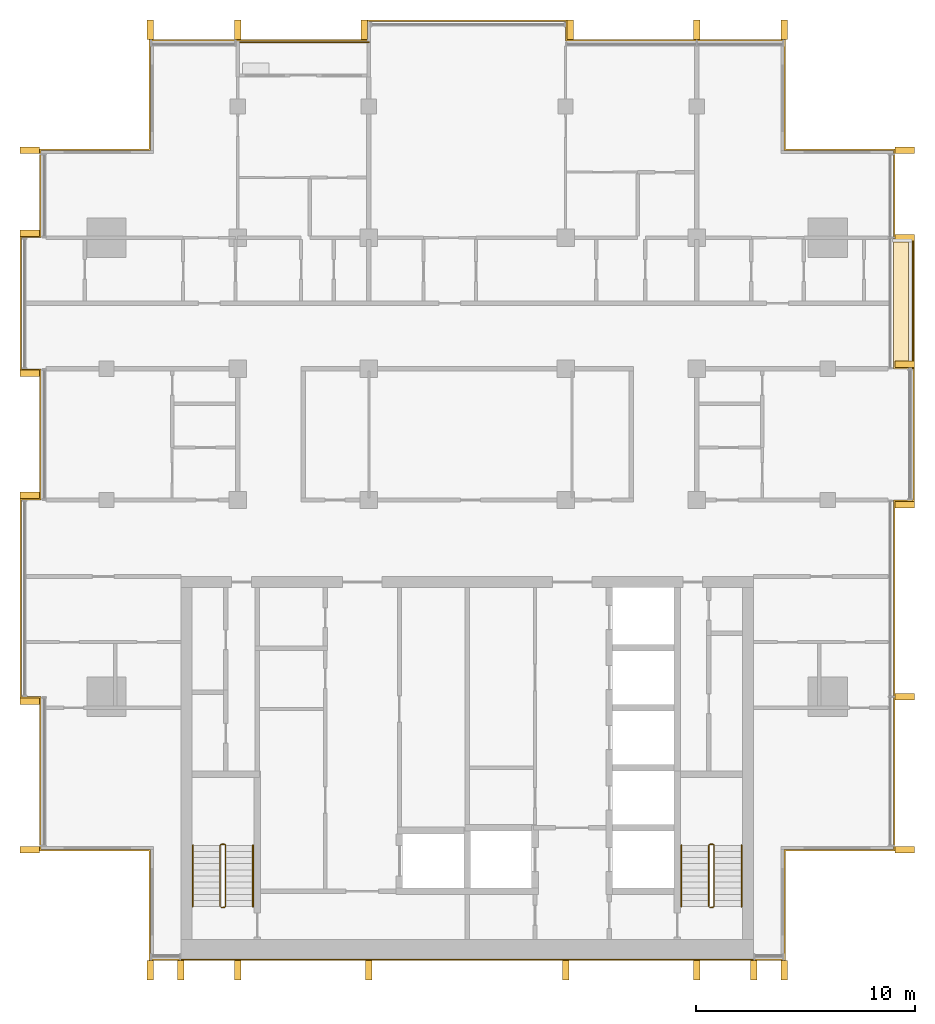
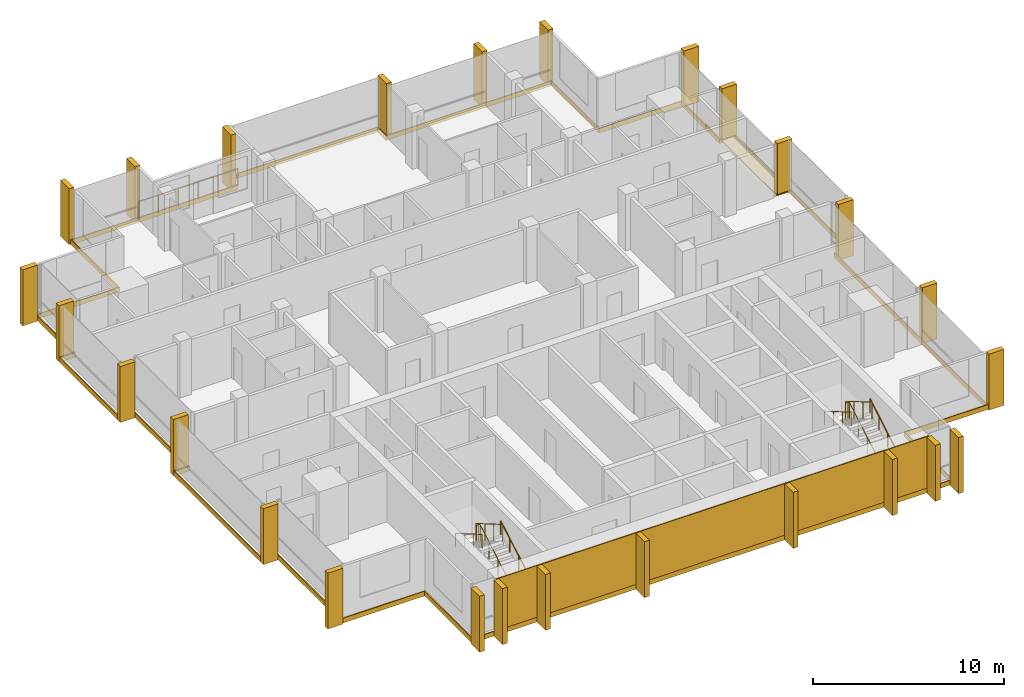
# One storey, part 16 of 16: 26 shading devices, 8 coverings, 7 railings.
"""IFC4 building model written with IfcOpenShell, lengths in metres."""

from ifc_helpers import new_model, si_unit, direction, frame, origin, origin_2d, place, context, subcontext, project, spatial, polyline, rectangle, circle, outline, extrude, material, layer, layer_set, type_object, element, save


model = new_model("IFC4")

# Units and contexts
model_context = context("Model", 3, precision=1e-05, world=origin(), true_north=direction((0.0, 1.0)))
body_context = subcontext(model_context, "Body", "Model", "MODEL_VIEW")
ifc_project = project(units=[si_unit("LENGTHUNIT", "METRE"), si_unit("AREAUNIT", "SQUARE_METRE"), si_unit("VOLUMEUNIT", "CUBIC_METRE"), si_unit("PLANEANGLEUNIT", "RADIAN"), si_unit("MASSUNIT", "GRAM", prefix="KILO")], contexts=[model_context])

# Site, building, storey
site_placement = place(None, origin())
site = spatial("IfcSite", under=ifc_project, at=site_placement, CompositionType="ELEMENT")
building_placement = place(site_placement, origin())
building = spatial("IfcBuilding", under=site, at=building_placement, Name="Finial Court Residences", CompositionType="ELEMENT")
storey_placement = place(building_placement, frame((0.0, 0.0, 291.5)))
storey = spatial("IfcBuildingStorey", under=building, at=storey_placement, Name="L74", CompositionType="ELEMENT", Elevation=291.5)

# Railing
ifc_material_1 = material(Name="Bronze anodised aluminium", Category="aluminium")
railing_type_1 = type_object("IfcRailingType", Name="Balcony guard 1100", PredefinedType="GUARDRAIL", material=ifc_material_1)
railing_1_placement = place(storey_placement, frame((-10.5, 16.449951171875, 0.0)))
element("IfcRailing", 1, at=railing_1_placement, inside=storey, type_object=railing_type_1, Name="E-L74-BALN2-R", PredefinedType="GUARDRAIL", context=body_context, shape_type="SweptSolid", body=[
    extrude(circle(Radius=0.02392578125, at=origin_2d()), frame((0.0, 0.0, 1.076171875), z_axis=(1.0, 0.0, 0.0), x_axis=(0.0, 1.0, 0.0)), (0.0, 0.0, 1.0), 6.0),
    extrude(circle(Radius=0.02099609375, at=origin_2d()), origin(), (0.0, 0.0, 1.0), 1.052001953125),
    extrude(circle(Radius=0.02099609375, at=origin_2d()), frame((1.199951171875, 0.0, 0.0)), (0.0, 0.0, 1.0), 1.052001953125),
    extrude(circle(Radius=0.02099609375, at=origin_2d()), frame((2.39990234375, 0.0, 0.0)), (0.0, 0.0, 1.0), 1.052001953125),
    extrude(circle(Radius=0.02099609375, at=origin_2d()), frame((3.60009765625, 0.0, 0.0)), (0.0, 0.0, 1.0), 1.052001953125),
    extrude(circle(Radius=0.02099609375, at=origin_2d()), frame((4.800048828125, 0.0, 0.0)), (0.0, 0.0, 1.0), 1.052001953125),
    extrude(circle(Radius=0.02099609375, at=origin_2d()), frame((6.0, 0.0, 0.0)), (0.0, 0.0, 1.0), 1.052001953125),
])

# Coverings
ifc_material_2 = material(Name="Natural limestone", Category="masonry")
ifc_layer_1 = layer(ifc_material_2, 0.06005859375)
ifc_layer_set_1 = layer_set([ifc_layer_1], Name="Limestone cladding to the blind core face 60")
covering_type_1 = type_object("IfcCoveringType", Name="Limestone cladding to the blind core face 60", PredefinedType="CLADDING", material=ifc_layer_set_1)
covering_1_placement = place(storey_placement, origin())
element("IfcCovering", 2, at=covering_1_placement, inside=storey, type_object=covering_type_1, Name="E-L74-CLAD1", PredefinedType="CLADDING", context=body_context, shape_type="SweptSolid", body=[
    extrude(outline(polyline([(-10.5, -25.56005859375), (-10.5, -25.5), (-13.10009765625, -25.5), (-13.10009765625, -25.56005859375), (-10.5, -25.56005859375)])), origin(), (0.0, 0.0, 1.0), 3.300048828125),
])
covering_2_placement = place(storey_placement, origin())
element("IfcCovering", 3, at=covering_2_placement, inside=storey, type_object=covering_type_1, Name="E-L74-CLAD2", PredefinedType="CLADDING", context=body_context, shape_type="SweptSolid", body=[
    extrude(outline(polyline([(-4.5, -25.56005859375), (-4.5, -25.5), (-10.5, -25.5), (-10.5, -25.56005859375), (-4.5, -25.56005859375)])), origin(), (0.0, 0.0, 1.0), 3.300048828125),
])
covering_3_placement = place(storey_placement, origin())
element("IfcCovering", 4, at=covering_3_placement, inside=storey, type_object=covering_type_1, Name="E-L74-CLAD3", PredefinedType="CLADDING", context=body_context, shape_type="SweptSolid", body=[
    extrude(outline(polyline([(4.5, -25.56005859375), (4.5, -25.5), (-4.5, -25.5), (-4.5, -25.56005859375), (4.5, -25.56005859375)])), origin(), (0.0, 0.0, 1.0), 3.300048828125),
])
covering_4_placement = place(storey_placement, origin())
element("IfcCovering", 5, at=covering_4_placement, inside=storey, type_object=covering_type_1, Name="E-L74-CLAD4", PredefinedType="CLADDING", context=body_context, shape_type="SweptSolid", body=[
    extrude(outline(polyline([(10.5, -25.56005859375), (10.5, -25.5), (4.5, -25.5), (4.5, -25.56005859375), (10.5, -25.56005859375)])), origin(), (0.0, 0.0, 1.0), 3.300048828125),
])
covering_5_placement = place(storey_placement, origin())
element("IfcCovering", 6, at=covering_5_placement, inside=storey, type_object=covering_type_1, Name="E-L74-CLAD5", PredefinedType="CLADDING", context=body_context, shape_type="SweptSolid", body=[
    extrude(outline(polyline([(13.10009765625, -25.56005859375), (13.10009765625, -25.5), (10.5, -25.5), (10.5, -25.56005859375), (13.10009765625, -25.56005859375)])), origin(), (0.0, 0.0, 1.0), 3.300048828125),
])

# Shading devices
shading_device_type = type_object("IfcShadingDeviceType", Name="Limestone fin 300 x 900", PredefinedType="USERDEFINED", material=ifc_material_2)
for number, where, z_axis, x_axis, name in (
    (7, (-14.5, 17.010009765625, -0.300048828125), (0.0, 0.0, 1.0), (1.0, 0.0, 0.0), "E-L74-FIN-N1"),
    (8, (-10.5, 17.010009765625, -0.300048828125), (0.0, 0.0, 1.0), (1.0, 0.0, 0.0), "E-L74-FIN-N2"),
    (9, (-4.7099609375, 17.010009765625, -0.300048828125), (0.0, 0.0, 1.0), (1.0, 0.0, 0.0), "E-L74-FIN-N3"),
    (10, (4.7099609375, 17.010009765625, -0.300048828125), (0.0, 0.0, 1.0), (1.0, 0.0, 0.0), "E-L74-FIN-N4"),
    (11, (10.5, 17.010009765625, -0.300048828125), (0.0, 0.0, 1.0), (1.0, 0.0, 0.0), "E-L74-FIN-N5"),
    (12, (14.5, 17.010009765625, -0.300048828125), (0.0, 0.0, 1.0), (1.0, 0.0, 0.0), "E-L74-FIN-N6"),
):
    element("IfcShadingDevice", number, at=place(storey_placement, frame(where, z_axis=z_axis, x_axis=x_axis)), inside=storey, type_object=shading_device_type, Name=name, ObjectType="FIN", PredefinedType="USERDEFINED", context=body_context, shape_type="SweptSolid", body=[
        extrude(rectangle(XDim=0.300048828125, YDim=0.89990234375, at=origin_2d()), origin(), (0.0, 0.0, 1.0), 3.580078125),
    ])
for number, where, z_axis, x_axis, name in (
    (13, (20.010009765625, -20.5, -0.300048828125), (0.0, 0.0, 1.0), (1.0, 0.0, 0.0), "E-L74-FIN-E7"),
    (14, (20.010009765625, -13.5, -0.300048828125), (0.0, 0.0, 1.0), (1.0, 0.0, 0.0), "E-L74-FIN-E8"),
    (15, (20.010009765625, -4.7099609375, -0.300048828125), (0.0, 0.0, 1.0), (1.0, 0.0, 0.0), "E-L74-FIN-E9"),
):
    element("IfcShadingDevice", number, at=place(storey_placement, frame(where, z_axis=z_axis, x_axis=x_axis)), inside=storey, type_object=shading_device_type, Name=name, ObjectType="FIN", PredefinedType="USERDEFINED", context=body_context, shape_type="SweptSolid", body=[
        extrude(rectangle(XDim=0.89990234375, YDim=0.300048828125, at=origin_2d()), origin(), (0.0, 0.0, 1.0), 3.580078125),
    ])
for number, where, z_axis, x_axis, name in (
    (16, (20.010009765625, 1.7099609375, 0.0400390625), (0.0, 0.0, 1.0), (1.0, 0.0, 0.0), "E-L74-FIN-E10"),
    (17, (20.010009765625, 7.5, 0.0400390625), (0.0, 0.0, 1.0), (1.0, 0.0, 0.0), "E-L74-FIN-E11"),
):
    element("IfcShadingDevice", number, at=place(storey_placement, frame(where, z_axis=z_axis, x_axis=x_axis)), inside=storey, type_object=shading_device_type, Name=name, ObjectType="FIN", PredefinedType="USERDEFINED", context=body_context, shape_type="SweptSolid", body=[
        extrude(rectangle(XDim=0.89990234375, YDim=0.300048828125, at=origin_2d()), origin(), (0.0, 0.0, 1.0), 3.239990234375),
    ])
shading_device_placement = place(storey_placement, frame((20.010009765625, 11.5, -0.300048828125), z_axis=(0.0, 0.0, 1.0), x_axis=(1.0, 0.0, 0.0)))
element("IfcShadingDevice", 18, at=shading_device_placement, inside=storey, type_object=shading_device_type, Name="E-L74-FIN-E12", ObjectType="FIN", PredefinedType="USERDEFINED", context=body_context, shape_type="SweptSolid", body=[
    extrude(rectangle(XDim=0.89990234375, YDim=0.300048828125, at=origin_2d()), origin(), (0.0, 0.0, 1.0), 3.580078125),
])
for number, where, z_axis, x_axis, name in (
    (19, (-14.5, -26.010009765625, -0.300048828125), (0.0, 0.0, 1.0), (1.0, 0.0, 0.0), "E-L74-FIN-S13"),
    (20, (-13.10009765625, -26.010009765625, -0.300048828125), (0.0, 0.0, 1.0), (1.0, 0.0, 0.0), "E-L74-FIN-S14"),
    (21, (-10.5, -26.010009765625, -0.300048828125), (0.0, 0.0, 1.0), (1.0, 0.0, 0.0), "E-L74-FIN-S15"),
    (22, (-4.5, -26.010009765625, -0.300048828125), (0.0, 0.0, 1.0), (1.0, 0.0, 0.0), "E-L74-FIN-S16"),
    (23, (4.5, -26.010009765625, -0.300048828125), (0.0, 0.0, 1.0), (1.0, 0.0, 0.0), "E-L74-FIN-S17"),
    (24, (10.5, -26.010009765625, -0.300048828125), (0.0, 0.0, 1.0), (1.0, 0.0, 0.0), "E-L74-FIN-S18"),
    (25, (13.10009765625, -26.010009765625, -0.300048828125), (0.0, 0.0, 1.0), (1.0, 0.0, 0.0), "E-L74-FIN-S19"),
    (26, (14.5, -26.010009765625, -0.300048828125), (0.0, 0.0, 1.0), (1.0, 0.0, 0.0), "E-L74-FIN-S20"),
):
    element("IfcShadingDevice", number, at=place(storey_placement, frame(where, z_axis=z_axis, x_axis=x_axis)), inside=storey, type_object=shading_device_type, Name=name, ObjectType="FIN", PredefinedType="USERDEFINED", context=body_context, shape_type="SweptSolid", body=[
        extrude(rectangle(XDim=0.300048828125, YDim=0.89990234375, at=origin_2d()), origin(), (0.0, 0.0, 1.0), 3.580078125),
    ])
for number, where, z_axis, x_axis, name in (
    (27, (-20.010009765625, -20.5, -0.300048828125), (0.0, 0.0, 1.0), (1.0, 0.0, 0.0), "E-L74-FIN-W21"),
    (28, (-20.010009765625, -13.7099609375, -0.300048828125), (0.0, 0.0, 1.0), (1.0, 0.0, 0.0), "E-L74-FIN-W22"),
    (29, (-20.010009765625, -4.2900390625, -0.300048828125), (0.0, 0.0, 1.0), (1.0, 0.0, 0.0), "E-L74-FIN-W23"),
    (30, (-20.010009765625, 1.2900390625, -0.300048828125), (0.0, 0.0, 1.0), (1.0, 0.0, 0.0), "E-L74-FIN-W24"),
    (31, (-20.010009765625, 7.7099609375, -0.300048828125), (0.0, 0.0, 1.0), (1.0, 0.0, 0.0), "E-L74-FIN-W25"),
    (32, (-20.010009765625, 11.5, -0.300048828125), (0.0, 0.0, 1.0), (1.0, 0.0, 0.0), "E-L74-FIN-W26"),
):
    element("IfcShadingDevice", number, at=place(storey_placement, frame(where, z_axis=z_axis, x_axis=x_axis)), inside=storey, type_object=shading_device_type, Name=name, ObjectType="FIN", PredefinedType="USERDEFINED", context=body_context, shape_type="SweptSolid", body=[
        extrude(rectangle(XDim=0.89990234375, YDim=0.300048828125, at=origin_2d()), origin(), (0.0, 0.0, 1.0), 3.580078125),
    ])

# Coverings
ifc_material_3 = material(Name="Pale limestone", Category="masonry")
ifc_layer_2 = layer(ifc_material_3, 0.06005859375)
ifc_layer_set_2 = layer_set([ifc_layer_2], Name="Pale limestone slab-edge band 60")
covering_type_2 = type_object("IfcCoveringType", Name="Pale limestone slab-edge band 60", PredefinedType="CLADDING", material=ifc_layer_set_2)
covering_6_placement = place(storey_placement, frame((0.0, 0.0, -0.300048828125)))
element("IfcCovering", 33, at=covering_6_placement, inside=storey, type_object=covering_type_2, Name="E-L74-BAND1", PredefinedType="CLADDING", context=body_context, shape_type="SweptSolid", body=[
    extrude(outline(polyline([(-20.4599609375, 1.43994140625), (-20.4599609375, 7.56005859375), (-19.56005859375, 7.56005859375), (-19.56005859375, 11.56005859375), (-14.56005859375, 11.56005859375), (-14.56005859375, 16.56005859375), (-4.56005859375, 16.56005859375), (-4.56005859375, 17.4599609375), (4.56005859375, 17.4599609375), (4.56005859375, 16.56005859375), (14.56005859375, 16.56005859375), (14.56005859375, 11.56005859375), (19.56005859375, 11.56005859375), (19.56005859375, 7.56005859375), (20.4599609375, 7.56005859375), (20.4599609375, -4.56005859375), (19.56005859375, -4.56005859375), (19.56005859375, -20.56005859375), (14.56005859375, -20.56005859375), (14.56005859375, -25.56005859375), (-14.56005859375, -25.56005859375), (-14.56005859375, -20.56005859375), (-19.56005859375, -20.56005859375), (-19.56005859375, -13.56005859375), (-20.4599609375, -13.56005859375), (-20.4599609375, -4.43994140625), (-19.56005859375, -4.43994140625), (-19.56005859375, 1.43994140625), (-20.4599609375, 1.43994140625)]), holes=[polyline([(-19.5, -4.5), (-20.39990234375, -4.5), (-20.39990234375, -13.5), (-19.5, -13.5), (-19.5, -20.5), (-14.5, -20.5), (-14.5, -25.5), (14.5, -25.5), (14.5, -20.5), (19.5, -20.5), (19.5, -4.5), (20.39990234375, -4.5), (20.39990234375, 1.5), (20.39990234375, 7.5), (19.5, 7.5), (19.5, 11.5), (14.5, 11.5), (14.5, 16.5), (4.5, 16.5), (4.5, 17.39990234375), (-4.5, 17.39990234375), (-4.5, 16.5), (-10.5, 16.5), (-14.5, 16.5), (-14.5, 11.5), (-19.5, 11.5), (-19.5, 7.5), (-20.39990234375, 7.5), (-20.39990234375, 1.5), (-19.5, 1.5), (-19.5, -4.5)])]), origin(), (0.0, 0.0, 1.0), 0.300048828125),
])
ifc_material_4 = material(Name="Bitumen membrane")
ifc_layer_3 = layer(ifc_material_4, 0.0400390625)
ifc_layer_set_3 = layer_set([ifc_layer_3], Name="Push box roofing, bitumen membrane 40")
covering_type_3 = type_object("IfcCoveringType", Name="Push box roofing, bitumen membrane 40", PredefinedType="ROOFING", material=ifc_layer_set_3)
covering_7_placement = place(storey_placement, origin())
element("IfcCovering", 34, at=covering_7_placement, inside=storey, type_object=covering_type_3, Name="E-L74-LED1", PredefinedType="ROOFING", context=body_context, shape_type="SweptSolid", body=[
    extrude(outline(polyline([(19.5, 7.300048828125), (20.199951171875, 7.300048828125), (20.199951171875, 1.5), (19.5, 1.5), (19.5, 7.300048828125)])), origin(), (0.0, 0.0, 1.0), 0.0400390625),
])
covering_8_placement = place(storey_placement, origin())
element("IfcCovering", 35, at=covering_8_placement, inside=storey, type_object=covering_type_3, Name="E-L74-LED1b", PredefinedType="ROOFING", context=body_context, shape_type="SweptSolid", body=[
    extrude(outline(polyline([(19.5, 7.5), (20.39990234375, 7.5), (20.39990234375, 1.5), (20.35009765625, 1.5), (20.35009765625, 7.300048828125), (20.35009765625, 7.300048828125), (20.35009765625, 7.449951171875), (19.5, 7.449951171875), (19.5, 7.5)])), origin(), (0.0, 0.0, 1.0), 0.0400390625),
])

# Railings
ifc_material_5 = material(Name="Stainless steel railing", Category="steel")
railing_type_2 = type_object("IfcRailingType", Name="Stair guard 1100", PredefinedType="GUARDRAIL", material=ifc_material_5)
railing_2_placement = place(storey_placement, frame((-11.10009765625, -23.14990234375, 0.0)))
element("IfcRailing", 36, at=railing_2_placement, inside=storey, type_object=railing_type_2, Name="L74 ST-1 stair guard 1", PredefinedType="GUARDRAIL", context=body_context, shape_type="SweptSolid", body=[
    extrude(circle(Radius=0.02392578125, at=origin_2d()), frame((0.0, 0.0, 1.076171875), z_axis=(-1.0, 0.0, 0.0), x_axis=(0.0, -1.0, 0.0)), (0.0, 0.0, 1.0), 0.14990234375),
    extrude(circle(Radius=0.02392578125, at=origin_2d()), frame((-0.14990234375, 0.0, 1.076171875), z_axis=(0.760004195007, 0.189305074214, 0.621737253547), x_axis=(-0.241699205484, 0.970351222016, 0.0)), (0.0, 0.0, 1.0), 0.26318359375),
    extrude(circle(Radius=0.02392578125, at=origin_2d()), frame((0.050048828125, 0.0498046875, 1.23974609375), z_axis=(0.0, 0.863360870873, 0.504586966384), x_axis=(-1.0, 0.0, 0.0)), (0.0, 0.0, 1.0), 3.2431640625),
    extrude(circle(Radius=0.02392578125, at=origin_2d()), frame((0.050048828125, 2.849853515625, 2.8759765625), z_axis=(-0.707106781187, 0.707106781187, 0.0), x_axis=(-0.707106781187, -0.707106781187, 0.0)), (0.0, 0.0, 1.0), 0.07080078125),
    extrude(circle(Radius=0.02392578125, at=origin_2d()), frame((0.0, 2.89990234375, 2.8759765625), z_axis=(-1.0, 0.0, 0.0), x_axis=(0.0, -1.0, 0.0)), (0.0, 0.0, 1.0), 0.14990234375),
    extrude(circle(Radius=0.02392578125, at=origin_2d()), frame((-0.14990234375, 2.89990234375, 2.8759765625), z_axis=(-0.280808744504, -0.280808744504, 0.917765164963), x_axis=(0.707106781187, -0.707106781187, 0.0)), (0.0, 0.0, 1.0), 0.17822265625),
    extrude(circle(Radius=0.02392578125, at=origin_2d()), frame((-0.199951171875, 2.849853515625, 3.03955078125), z_axis=(0.0, -0.863360870873, 0.504586966384), x_axis=(1.0, 0.0, 0.0)), (0.0, 0.0, 1.0), 3.2431640625),
    extrude(circle(Radius=0.02099609375, at=origin_2d()), origin(), (0.0, 0.0, 1.0), 1.052001953125),
    extrude(circle(Radius=0.02099609375, at=origin_2d()), frame((-0.14990234375, 0.0, 0.0)), (0.0, 0.0, 1.0), 1.052001953125),
    extrude(circle(Radius=0.02099609375, at=origin_2d()), frame((0.050048828125, 0.0498046875, 0.16357421875)), (0.0, 0.0, 1.0), 1.052001953125),
    extrude(circle(Radius=0.02099609375, at=origin_2d()), frame((0.050048828125, 0.983154296875, 0.708984375)), (0.0, 0.0, 1.0), 1.052001953125),
    extrude(circle(Radius=0.02099609375, at=origin_2d()), frame((0.050048828125, 1.91650390625, 1.254638671875)), (0.0, 0.0, 1.0), 1.052001953125),
    extrude(circle(Radius=0.02099609375, at=origin_2d()), frame((0.050048828125, 2.849853515625, 1.800048828125)), (0.0, 0.0, 1.0), 1.052001953125),
    extrude(circle(Radius=0.02099609375, at=origin_2d()), frame((0.0, 2.89990234375, 1.800048828125)), (0.0, 0.0, 1.0), 1.052001953125),
    extrude(circle(Radius=0.02099609375, at=origin_2d()), frame((-0.14990234375, 2.89990234375, 1.800048828125)), (0.0, 0.0, 1.0), 1.052001953125),
    extrude(circle(Radius=0.02099609375, at=origin_2d()), frame((-0.199951171875, 2.849853515625, 1.963623046875)), (0.0, 0.0, 1.0), 1.052001953125),
    extrude(circle(Radius=0.02099609375, at=origin_2d()), frame((-0.199951171875, 1.91650390625, 2.509033203125)), (0.0, 0.0, 1.0), 1.052001953125),
    extrude(circle(Radius=0.02099609375, at=origin_2d()), frame((-0.199951171875, 0.983154296875, 3.0546875)), (0.0, 0.0, 1.0), 1.052001953125),
    extrude(circle(Radius=0.02099609375, at=origin_2d()), frame((-0.199951171875, 0.0498046875, 3.60009765625)), (0.0, 0.0, 1.0), 1.052001953125),
])
railing_3_placement = place(storey_placement, frame((11.25, -23.14990234375, 0.0)))
element("IfcRailing", 37, at=railing_3_placement, inside=storey, type_object=railing_type_2, Name="L74 ST-2 stair guard 1", PredefinedType="GUARDRAIL", context=body_context, shape_type="SweptSolid", body=[
    extrude(circle(Radius=0.02392578125, at=origin_2d()), frame((0.0, 0.0, 1.076171875), z_axis=(-1.0, 0.0, 0.0), x_axis=(0.0, -1.0, 0.0)), (0.0, 0.0, 1.0), 0.14990234375),
    extrude(circle(Radius=0.02392578125, at=origin_2d()), frame((-0.14990234375, 0.0, 1.076171875), z_axis=(0.760004195007, 0.189305074214, 0.621737253547), x_axis=(-0.241699205484, 0.970351222016, 0.0)), (0.0, 0.0, 1.0), 0.26318359375),
    extrude(circle(Radius=0.02392578125, at=origin_2d()), frame((0.050048828125, 0.0498046875, 1.23974609375), z_axis=(0.0, 0.863360870873, 0.504586966384), x_axis=(-1.0, 0.0, 0.0)), (0.0, 0.0, 1.0), 3.2431640625),
    extrude(circle(Radius=0.02392578125, at=origin_2d()), frame((0.050048828125, 2.849853515625, 2.8759765625), z_axis=(-0.707106781187, 0.707106781187, 0.0), x_axis=(-0.707106781187, -0.707106781187, 0.0)), (0.0, 0.0, 1.0), 0.07080078125),
    extrude(circle(Radius=0.02392578125, at=origin_2d()), frame((0.0, 2.89990234375, 2.8759765625), z_axis=(-1.0, 0.0, 0.0), x_axis=(0.0, -1.0, 0.0)), (0.0, 0.0, 1.0), 0.14990234375),
    extrude(circle(Radius=0.02392578125, at=origin_2d()), frame((-0.14990234375, 2.89990234375, 2.8759765625), z_axis=(-0.280808744504, -0.280808744504, 0.917765164963), x_axis=(0.707106781187, -0.707106781187, 0.0)), (0.0, 0.0, 1.0), 0.17822265625),
    extrude(circle(Radius=0.02392578125, at=origin_2d()), frame((-0.199951171875, 2.849853515625, 3.03955078125), z_axis=(0.0, -0.863360870873, 0.504586966384), x_axis=(1.0, 0.0, 0.0)), (0.0, 0.0, 1.0), 3.2431640625),
    extrude(circle(Radius=0.02099609375, at=origin_2d()), origin(), (0.0, 0.0, 1.0), 1.052001953125),
    extrude(circle(Radius=0.02099609375, at=origin_2d()), frame((-0.14990234375, 0.0, 0.0)), (0.0, 0.0, 1.0), 1.052001953125),
    extrude(circle(Radius=0.02099609375, at=origin_2d()), frame((0.050048828125, 0.0498046875, 0.16357421875)), (0.0, 0.0, 1.0), 1.052001953125),
    extrude(circle(Radius=0.02099609375, at=origin_2d()), frame((0.050048828125, 0.983154296875, 0.708984375)), (0.0, 0.0, 1.0), 1.052001953125),
    extrude(circle(Radius=0.02099609375, at=origin_2d()), frame((0.050048828125, 1.91650390625, 1.254638671875)), (0.0, 0.0, 1.0), 1.052001953125),
    extrude(circle(Radius=0.02099609375, at=origin_2d()), frame((0.050048828125, 2.849853515625, 1.800048828125)), (0.0, 0.0, 1.0), 1.052001953125),
    extrude(circle(Radius=0.02099609375, at=origin_2d()), frame((0.0, 2.89990234375, 1.800048828125)), (0.0, 0.0, 1.0), 1.052001953125),
    extrude(circle(Radius=0.02099609375, at=origin_2d()), frame((-0.14990234375, 2.89990234375, 1.800048828125)), (0.0, 0.0, 1.0), 1.052001953125),
    extrude(circle(Radius=0.02099609375, at=origin_2d()), frame((-0.199951171875, 2.849853515625, 1.963623046875)), (0.0, 0.0, 1.0), 1.052001953125),
    extrude(circle(Radius=0.02099609375, at=origin_2d()), frame((-0.199951171875, 1.91650390625, 2.509033203125)), (0.0, 0.0, 1.0), 1.052001953125),
    extrude(circle(Radius=0.02099609375, at=origin_2d()), frame((-0.199951171875, 0.983154296875, 3.0546875)), (0.0, 0.0, 1.0), 1.052001953125),
    extrude(circle(Radius=0.02099609375, at=origin_2d()), frame((-0.199951171875, 0.0498046875, 3.60009765625)), (0.0, 0.0, 1.0), 1.052001953125),
])
railing_type_3 = type_object("IfcRailingType", Name="Stair handrail 900", PredefinedType="HANDRAIL", material=ifc_material_5)
railing_4_placement = place(storey_placement, frame((-9.800048828125, -23.10009765625, 0.16357421875)))
element("IfcRailing", 38, at=railing_4_placement, inside=storey, type_object=railing_type_3, Name="L74 ST-1 stair handrail 1", PredefinedType="HANDRAIL", context=body_context, shape_type="SweptSolid", body=[
    extrude(circle(Radius=0.02392578125, at=origin_2d()), frame((0.0, 0.0, 0.8759765625), z_axis=(0.0, 0.863360870873, 0.504586966384), x_axis=(-1.0, 0.0, 0.0)), (0.0, 0.0, 1.0), 3.2431640625),
    extrude(circle(Radius=0.02099609375, at=origin_2d()), origin(), (0.0, 0.0, 1.0), 0.851806640625),
    extrude(circle(Radius=0.02099609375, at=origin_2d()), frame((0.0, 0.933349609375, 0.54541015625)), (0.0, 0.0, 1.0), 0.851806640625),
    extrude(circle(Radius=0.02099609375, at=origin_2d()), frame((0.0, 1.86669921875, 1.091064453125)), (0.0, 0.0, 1.0), 0.851806640625),
    extrude(circle(Radius=0.02099609375, at=origin_2d()), frame((0.0, 2.800048828125, 1.636474609375)), (0.0, 0.0, 1.0), 0.851806640625),
])
railing_5_placement = place(storey_placement, frame((-12.550048828125, -20.300048828125, 1.963623046875)))
element("IfcRailing", 39, at=railing_5_placement, inside=storey, type_object=railing_type_3, Name="L74 ST-1 stair handrail 2", PredefinedType="HANDRAIL", context=body_context, shape_type="SweptSolid", body=[
    extrude(circle(Radius=0.02392578125, at=origin_2d()), frame((0.0, 0.0, 0.8759765625), z_axis=(0.0, -0.863360870873, 0.504586966384), x_axis=(1.0, 0.0, 0.0)), (0.0, 0.0, 1.0), 3.2431640625),
    extrude(circle(Radius=0.02099609375, at=origin_2d()), origin(), (0.0, 0.0, 1.0), 0.851806640625),
    extrude(circle(Radius=0.02099609375, at=origin_2d()), frame((0.0, -0.933349609375, 0.54541015625)), (0.0, 0.0, 1.0), 0.851806640625),
    extrude(circle(Radius=0.02099609375, at=origin_2d()), frame((0.0, -1.86669921875, 1.091064453125)), (0.0, 0.0, 1.0), 0.851806640625),
    extrude(circle(Radius=0.02099609375, at=origin_2d()), frame((0.0, -2.800048828125, 1.636474609375)), (0.0, 0.0, 1.0), 0.851806640625),
])
railing_6_placement = place(storey_placement, frame((12.550048828125, -23.10009765625, 0.16357421875)))
element("IfcRailing", 40, at=railing_6_placement, inside=storey, type_object=railing_type_3, Name="L74 ST-2 stair handrail 1", PredefinedType="HANDRAIL", context=body_context, shape_type="SweptSolid", body=[
    extrude(circle(Radius=0.02392578125, at=origin_2d()), frame((0.0, 0.0, 0.8759765625), z_axis=(0.0, 0.863360870873, 0.504586966384), x_axis=(-1.0, 0.0, 0.0)), (0.0, 0.0, 1.0), 3.2431640625),
    extrude(circle(Radius=0.02099609375, at=origin_2d()), origin(), (0.0, 0.0, 1.0), 0.851806640625),
    extrude(circle(Radius=0.02099609375, at=origin_2d()), frame((0.0, 0.933349609375, 0.54541015625)), (0.0, 0.0, 1.0), 0.851806640625),
    extrude(circle(Radius=0.02099609375, at=origin_2d()), frame((0.0, 1.86669921875, 1.091064453125)), (0.0, 0.0, 1.0), 0.851806640625),
    extrude(circle(Radius=0.02099609375, at=origin_2d()), frame((0.0, 2.800048828125, 1.636474609375)), (0.0, 0.0, 1.0), 0.851806640625),
])
railing_7_placement = place(storey_placement, frame((9.800048828125, -20.300048828125, 1.963623046875)))
element("IfcRailing", 41, at=railing_7_placement, inside=storey, type_object=railing_type_3, Name="L74 ST-2 stair handrail 2", PredefinedType="HANDRAIL", context=body_context, shape_type="SweptSolid", body=[
    extrude(circle(Radius=0.02392578125, at=origin_2d()), frame((0.0, 0.0, 0.8759765625), z_axis=(0.0, -0.863360870873, 0.504586966384), x_axis=(1.0, 0.0, 0.0)), (0.0, 0.0, 1.0), 3.2431640625),
    extrude(circle(Radius=0.02099609375, at=origin_2d()), origin(), (0.0, 0.0, 1.0), 0.851806640625),
    extrude(circle(Radius=0.02099609375, at=origin_2d()), frame((0.0, -0.933349609375, 0.54541015625)), (0.0, 0.0, 1.0), 0.851806640625),
    extrude(circle(Radius=0.02099609375, at=origin_2d()), frame((0.0, -1.86669921875, 1.091064453125)), (0.0, 0.0, 1.0), 0.851806640625),
    extrude(circle(Radius=0.02099609375, at=origin_2d()), frame((0.0, -2.800048828125, 1.636474609375)), (0.0, 0.0, 1.0), 0.851806640625),
])

save(model, "model.ifc")
